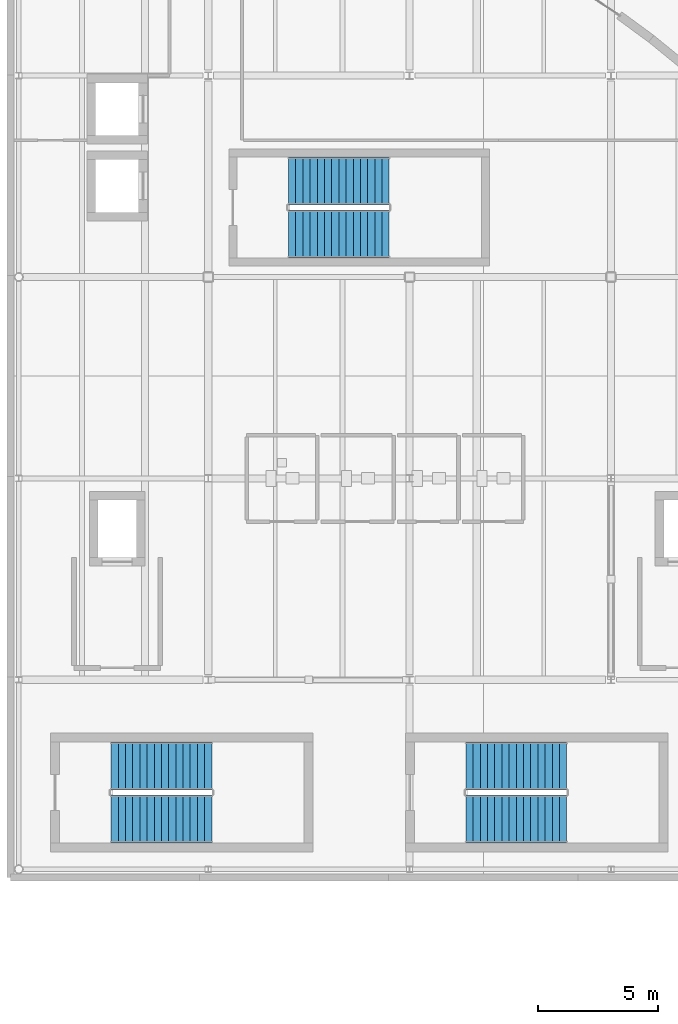
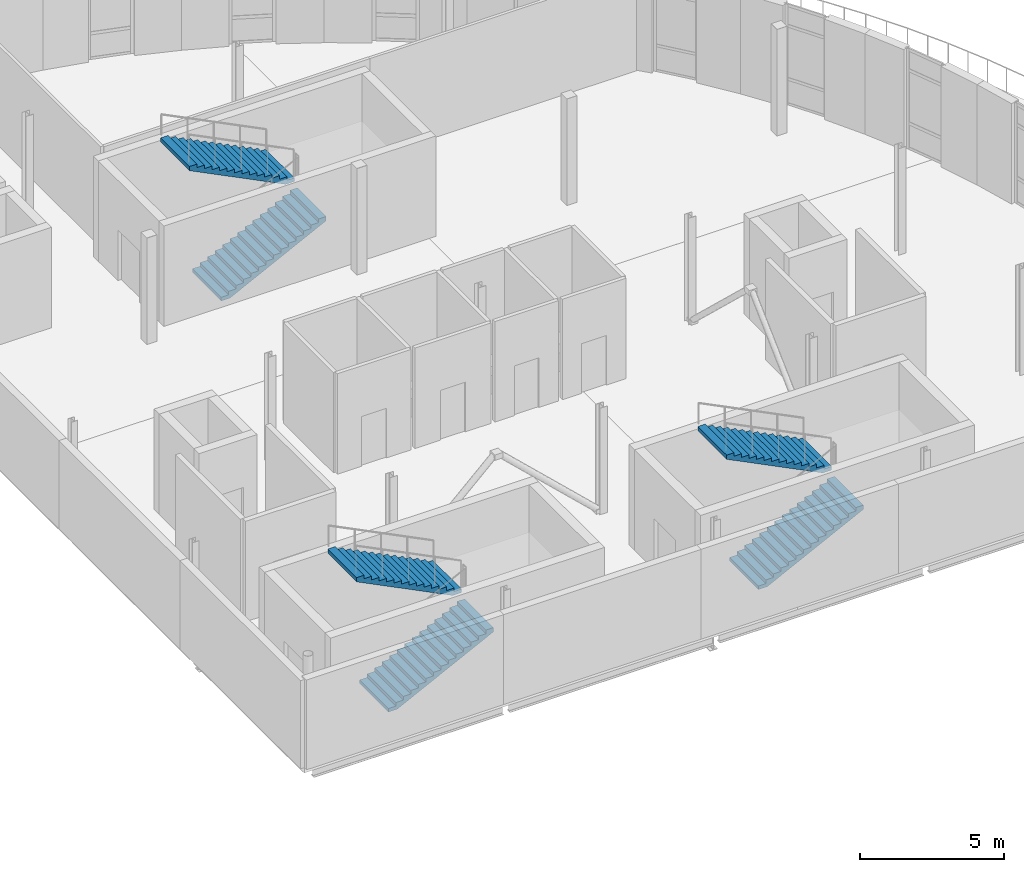
# One storey, part 24 of 40: 6 stair flights, 3 elements without a shape of their own.
"""IFC4 building model written with IfcOpenShell, lengths in metres."""

from ifc_helpers import new_model, si_unit, direction, frame, origin, place, context, subcontext, project, spatial, polyline, outline, extrude, material, type_object, element, aggregate, save


model = new_model("IFC4")

# Units and contexts
model_context = context("Model", 3, precision=1e-05, world=origin(), true_north=direction((0.0, 1.0)))
body_context = subcontext(model_context, "Body", "Model", "MODEL_VIEW")
ifc_project = project(units=[si_unit("LENGTHUNIT", "METRE"), si_unit("AREAUNIT", "SQUARE_METRE"), si_unit("VOLUMEUNIT", "CUBIC_METRE"), si_unit("PLANEANGLEUNIT", "RADIAN"), si_unit("MASSUNIT", "GRAM", prefix="KILO"), si_unit("THERMODYNAMICTEMPERATUREUNIT", "KELVIN")], contexts=[model_context])

# Site, building, storey
site_placement = place(None, origin())
site = spatial("IfcSite", under=ifc_project, at=site_placement, CompositionType="ELEMENT")
building_placement = place(site_placement, origin())
building = spatial("IfcBuilding", under=site, at=building_placement, Name="Lustrewick Department Store", CompositionType="ELEMENT")
storey_placement = place(building_placement, frame((0.0, 0.0, 31.800048828125)))
storey = spatial("IfcBuildingStorey", under=building, at=storey_placement, Name="L07", CompositionType="ELEMENT", Elevation=31.800048828125)

# Stair, stair flights
ifc_material = material(Name="Concrete C30", Category="concrete")
stair_type = type_object("IfcStairType", Name="ST-H45", PredefinedType="HALF_TURN_STAIR", material=ifc_material)
stair_1_placement = place(storey_placement, origin())
stair_1 = element("IfcStair", 1, at=stair_1_placement, inside=storey, type_object=stair_type, Name="L07 Smoke-Proof Exit Stair ST09", PredefinedType="HALF_TURN_STAIR")
stair_flight_type = type_object("IfcStairFlightType", Name="SF-H45", PredefinedType="STRAIGHT", material=ifc_material)
stair_flight_1_placement = place(storey_placement, frame((113.550048828125, 53.0, 0.0), z_axis=(0.0, 0.0, 1.0), x_axis=(1.0, 0.0, 0.0)))
stair_flight_1 = element("IfcStairFlight", 2, at=stair_flight_1_placement, type_object=stair_flight_type, Name="ST-H45 flight 1", NumberOfRisers=15, NumberOfTreads=14, PredefinedType="STRAIGHT", RiserHeight=0.15, TreadLength=0.3, context=body_context, shape_type="SweptSolid", body=[
    extrude(outline(polyline([(0.0, 0.0), (0.0, 0.14990234375), (0.300048828125, 0.14990234375), (0.300048828125, 0.300048828125), (0.60009765625, 0.300048828125), (0.60009765625, 0.449951171875), (0.89990234375, 0.449951171875), (0.89990234375, 0.60009765625), (1.199951171875, 0.60009765625), (1.199951171875, 0.75), (1.5, 0.75), (1.5, 0.89990234375), (1.800048828125, 0.89990234375), (1.800048828125, 1.050048828125), (2.10009765625, 1.050048828125), (2.10009765625, 1.199951171875), (2.39990234375, 1.199951171875), (2.39990234375, 1.35009765625), (2.699951171875, 1.35009765625), (2.699951171875, 1.5), (3.0, 1.5), (3.0, 1.64990234375), (3.300048828125, 1.64990234375), (3.300048828125, 1.800048828125), (3.60009765625, 1.800048828125), (3.60009765625, 1.949951171875), (3.89990234375, 1.949951171875), (3.89990234375, 2.10009765625), (4.199951171875, 2.10009765625), (4.199951171875, 2.25), (4.199951171875, 1.921142578125), (0.357666015625, 0.0), (0.0, 0.0)])), frame((0.0, 1.0, 0.0), z_axis=(0.0, -1.0, 0.0), x_axis=(1.0, 0.0, 0.0)), (0.0, 0.0, 1.0), 2.0),
])
stair_flight_2_placement = place(storey_placement, frame((117.75, 55.199951171875, 2.25), z_axis=(0.0, 0.0, 1.0), x_axis=(-1.0, 0.0, 0.0)))
stair_flight_2 = element("IfcStairFlight", 3, at=stair_flight_2_placement, type_object=stair_flight_type, Name="ST-H45 flight 2", NumberOfRisers=15, NumberOfTreads=14, PredefinedType="STRAIGHT", RiserHeight=0.15, TreadLength=0.3, context=body_context, shape_type="SweptSolid", body=[
    extrude(outline(polyline([(0.0, 0.0), (0.0, 0.14990234375), (0.300048828125, 0.14990234375), (0.300048828125, 0.300048828125), (0.60009765625, 0.300048828125), (0.60009765625, 0.449951171875), (0.89990234375, 0.449951171875), (0.89990234375, 0.60009765625), (1.199951171875, 0.60009765625), (1.199951171875, 0.75), (1.5, 0.75), (1.5, 0.89990234375), (1.800048828125, 0.89990234375), (1.800048828125, 1.050048828125), (2.10009765625, 1.050048828125), (2.10009765625, 1.199951171875), (2.39990234375, 1.199951171875), (2.39990234375, 1.35009765625), (2.699951171875, 1.35009765625), (2.699951171875, 1.5), (3.0, 1.5), (3.0, 1.64990234375), (3.300048828125, 1.64990234375), (3.300048828125, 1.800048828125), (3.60009765625, 1.800048828125), (3.60009765625, 1.949951171875), (3.89990234375, 1.949951171875), (3.89990234375, 2.10009765625), (4.199951171875, 2.10009765625), (4.199951171875, 2.25), (4.199951171875, 1.921142578125), (0.357666015625, 0.0), (0.0, 0.0)])), frame((0.0, 1.0, 0.0), z_axis=(0.0, -1.0, 0.0), x_axis=(1.0, 0.0, 0.0)), (0.0, 0.0, 1.0), 2.0),
])
aggregate(stair_1, [stair_flight_1, stair_flight_2])

stair_2_placement = place(storey_placement, origin())
stair_2 = element("IfcStair", 4, at=stair_2_placement, inside=storey, type_object=stair_type, Name="L07 Smoke-Proof Exit Stair ST10", PredefinedType="HALF_TURN_STAIR")
stair_flight_3_placement = place(storey_placement, frame((120.949951171875, 77.39990234375, 0.0), z_axis=(0.0, 0.0, 1.0), x_axis=(1.0, 0.0, 0.0)))
stair_flight_3 = element("IfcStairFlight", 5, at=stair_flight_3_placement, type_object=stair_flight_type, Name="ST-H45 flight 1", NumberOfRisers=15, NumberOfTreads=14, PredefinedType="STRAIGHT", RiserHeight=0.15, TreadLength=0.3, context=body_context, shape_type="SweptSolid", body=[
    extrude(outline(polyline([(0.0, 0.0), (0.0, 0.14990234375), (0.300048828125, 0.14990234375), (0.300048828125, 0.300048828125), (0.60009765625, 0.300048828125), (0.60009765625, 0.449951171875), (0.89990234375, 0.449951171875), (0.89990234375, 0.60009765625), (1.199951171875, 0.60009765625), (1.199951171875, 0.75), (1.5, 0.75), (1.5, 0.89990234375), (1.800048828125, 0.89990234375), (1.800048828125, 1.050048828125), (2.10009765625, 1.050048828125), (2.10009765625, 1.199951171875), (2.39990234375, 1.199951171875), (2.39990234375, 1.35009765625), (2.699951171875, 1.35009765625), (2.699951171875, 1.5), (3.0, 1.5), (3.0, 1.64990234375), (3.300048828125, 1.64990234375), (3.300048828125, 1.800048828125), (3.60009765625, 1.800048828125), (3.60009765625, 1.949951171875), (3.89990234375, 1.949951171875), (3.89990234375, 2.10009765625), (4.199951171875, 2.10009765625), (4.199951171875, 2.25), (4.199951171875, 1.921142578125), (0.357666015625, 0.0), (0.0, 0.0)])), frame((0.0, 1.0, 0.0), z_axis=(0.0, -1.0, 0.0), x_axis=(1.0, 0.0, 0.0)), (0.0, 0.0, 1.0), 2.0),
])
stair_flight_4_placement = place(storey_placement, frame((125.14990234375, 79.60009765625, 2.25), z_axis=(0.0, 0.0, 1.0), x_axis=(-1.0, 0.0, 0.0)))
stair_flight_4 = element("IfcStairFlight", 6, at=stair_flight_4_placement, type_object=stair_flight_type, Name="ST-H45 flight 2", NumberOfRisers=15, NumberOfTreads=14, PredefinedType="STRAIGHT", RiserHeight=0.15, TreadLength=0.3, context=body_context, shape_type="SweptSolid", body=[
    extrude(outline(polyline([(0.0, 0.0), (0.0, 0.14990234375), (0.300048828125, 0.14990234375), (0.300048828125, 0.300048828125), (0.60009765625, 0.300048828125), (0.60009765625, 0.449951171875), (0.89990234375, 0.449951171875), (0.89990234375, 0.60009765625), (1.199951171875, 0.60009765625), (1.199951171875, 0.75), (1.5, 0.75), (1.5, 0.89990234375), (1.800048828125, 0.89990234375), (1.800048828125, 1.050048828125), (2.10009765625, 1.050048828125), (2.10009765625, 1.199951171875), (2.39990234375, 1.199951171875), (2.39990234375, 1.35009765625), (2.699951171875, 1.35009765625), (2.699951171875, 1.5), (3.0, 1.5), (3.0, 1.64990234375), (3.300048828125, 1.64990234375), (3.300048828125, 1.800048828125), (3.60009765625, 1.800048828125), (3.60009765625, 1.949951171875), (3.89990234375, 1.949951171875), (3.89990234375, 2.10009765625), (4.199951171875, 2.10009765625), (4.199951171875, 2.25), (4.199951171875, 1.921142578125), (0.357666015625, 0.0), (0.0, 0.0)])), frame((0.0, 1.0, 0.0), z_axis=(0.0, -1.0, 0.0), x_axis=(1.0, 0.0, 0.0)), (0.0, 0.0, 1.0), 2.0),
])
aggregate(stair_2, [stair_flight_3, stair_flight_4])

stair_3_placement = place(storey_placement, origin())
stair_3 = element("IfcStair", 7, at=stair_3_placement, inside=storey, type_object=stair_type, Name="L07 Smoke-Proof Exit Stair ST11", PredefinedType="HALF_TURN_STAIR")
stair_flight_5_placement = place(storey_placement, frame((128.35009765625, 53.0, 0.0), z_axis=(0.0, 0.0, 1.0), x_axis=(1.0, 0.0, 0.0)))
stair_flight_5 = element("IfcStairFlight", 8, at=stair_flight_5_placement, type_object=stair_flight_type, Name="ST-H45 flight 1", NumberOfRisers=15, NumberOfTreads=14, PredefinedType="STRAIGHT", RiserHeight=0.15, TreadLength=0.3, context=body_context, shape_type="SweptSolid", body=[
    extrude(outline(polyline([(0.0, 0.0), (0.0, 0.14990234375), (0.300048828125, 0.14990234375), (0.300048828125, 0.300048828125), (0.60009765625, 0.300048828125), (0.60009765625, 0.449951171875), (0.89990234375, 0.449951171875), (0.89990234375, 0.60009765625), (1.199951171875, 0.60009765625), (1.199951171875, 0.75), (1.5, 0.75), (1.5, 0.89990234375), (1.800048828125, 0.89990234375), (1.800048828125, 1.050048828125), (2.10009765625, 1.050048828125), (2.10009765625, 1.199951171875), (2.39990234375, 1.199951171875), (2.39990234375, 1.35009765625), (2.699951171875, 1.35009765625), (2.699951171875, 1.5), (3.0, 1.5), (3.0, 1.64990234375), (3.300048828125, 1.64990234375), (3.300048828125, 1.800048828125), (3.60009765625, 1.800048828125), (3.60009765625, 1.949951171875), (3.89990234375, 1.949951171875), (3.89990234375, 2.10009765625), (4.199951171875, 2.10009765625), (4.199951171875, 2.25), (4.199951171875, 1.921142578125), (0.357666015625, 0.0), (0.0, 0.0)])), frame((0.0, 1.0, 0.0), z_axis=(0.0, -1.0, 0.0), x_axis=(1.0, 0.0, 0.0)), (0.0, 0.0, 1.0), 2.0),
])
stair_flight_6_placement = place(storey_placement, frame((132.550048828125, 55.199951171875, 2.25), z_axis=(0.0, 0.0, 1.0), x_axis=(-1.0, 0.0, 0.0)))
stair_flight_6 = element("IfcStairFlight", 9, at=stair_flight_6_placement, type_object=stair_flight_type, Name="ST-H45 flight 2", NumberOfRisers=15, NumberOfTreads=14, PredefinedType="STRAIGHT", RiserHeight=0.15, TreadLength=0.3, context=body_context, shape_type="SweptSolid", body=[
    extrude(outline(polyline([(0.0, 0.0), (0.0, 0.14990234375), (0.300048828125, 0.14990234375), (0.300048828125, 0.300048828125), (0.60009765625, 0.300048828125), (0.60009765625, 0.449951171875), (0.89990234375, 0.449951171875), (0.89990234375, 0.60009765625), (1.199951171875, 0.60009765625), (1.199951171875, 0.75), (1.5, 0.75), (1.5, 0.89990234375), (1.800048828125, 0.89990234375), (1.800048828125, 1.050048828125), (2.10009765625, 1.050048828125), (2.10009765625, 1.199951171875), (2.39990234375, 1.199951171875), (2.39990234375, 1.35009765625), (2.699951171875, 1.35009765625), (2.699951171875, 1.5), (3.0, 1.5), (3.0, 1.64990234375), (3.300048828125, 1.64990234375), (3.300048828125, 1.800048828125), (3.60009765625, 1.800048828125), (3.60009765625, 1.949951171875), (3.89990234375, 1.949951171875), (3.89990234375, 2.10009765625), (4.199951171875, 2.10009765625), (4.199951171875, 2.25), (4.199951171875, 1.921142578125), (0.357666015625, 0.0), (0.0, 0.0)])), frame((0.0, 1.0, 0.0), z_axis=(0.0, -1.0, 0.0), x_axis=(1.0, 0.0, 0.0)), (0.0, 0.0, 1.0), 2.0),
])
aggregate(stair_3, [stair_flight_5, stair_flight_6])

save(model, "model.ifc")
